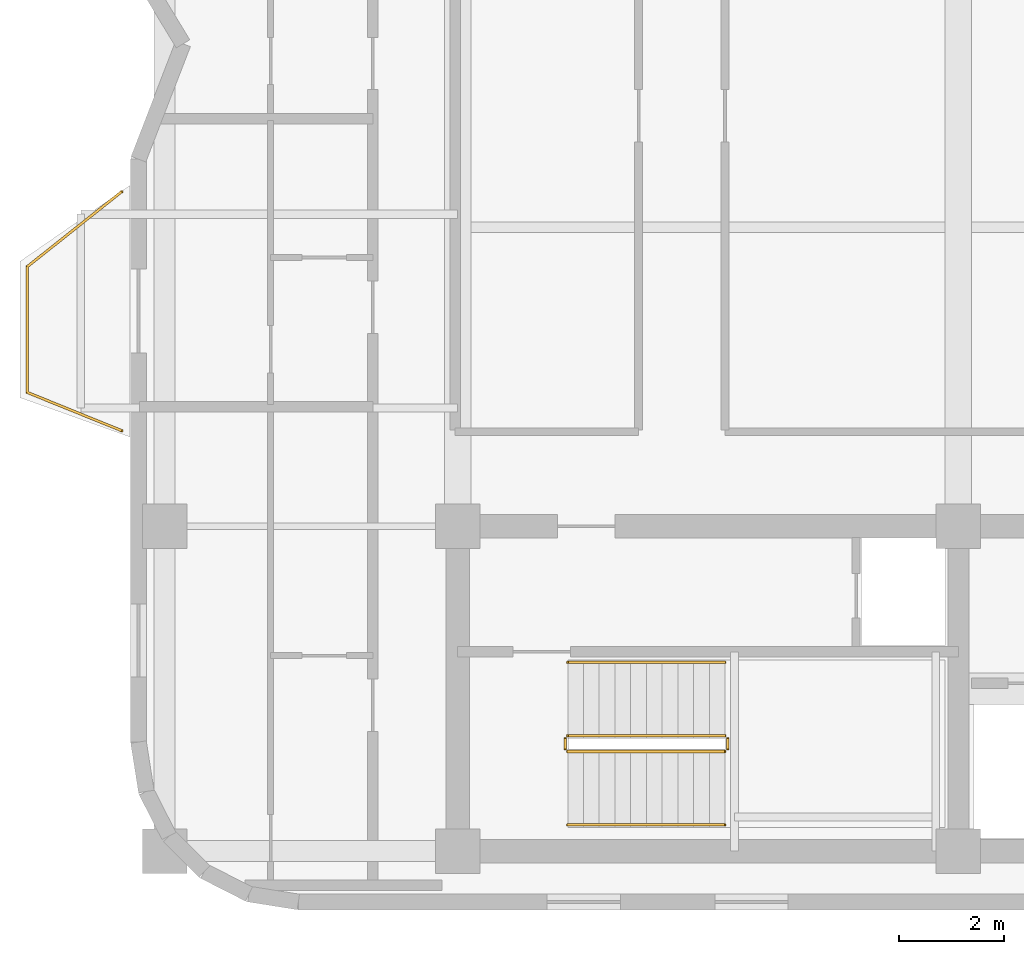
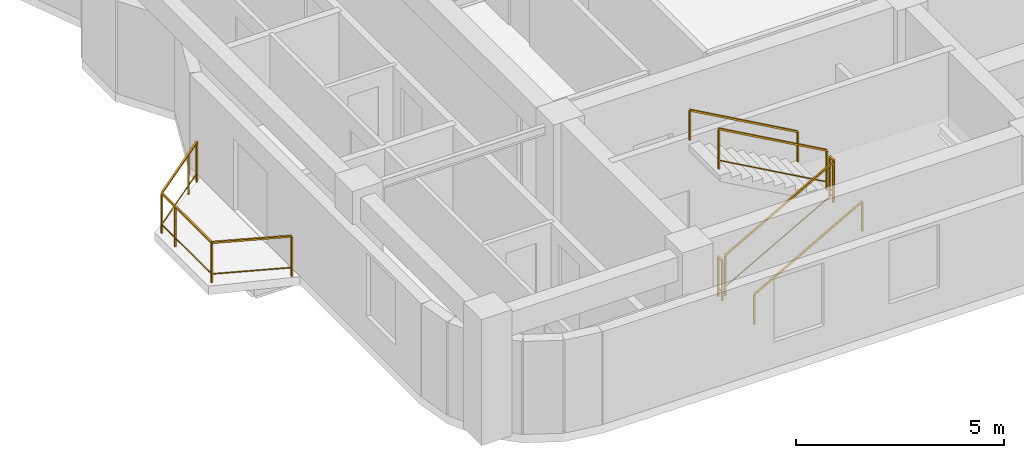
# One storey, part 7 of 8: 7 railings.
"""IFC4 building model written with IfcOpenShell, lengths in metres."""

from ifc_helpers import new_model, si_unit, direction, frame, origin, origin_2d, place, context, subcontext, project, spatial, rectangle, extrude, material, type_object, element, save


model = new_model("IFC4")

# Units and contexts
model_context = context("Model", 3, precision=1e-05, world=origin(), true_north=direction((0.0, 1.0)))
body_context = subcontext(model_context, "Body", "Model", "MODEL_VIEW")
ifc_project = project(units=[si_unit("LENGTHUNIT", "METRE"), si_unit("AREAUNIT", "SQUARE_METRE"), si_unit("VOLUMEUNIT", "CUBIC_METRE"), si_unit("PLANEANGLEUNIT", "RADIAN"), si_unit("MASSUNIT", "GRAM", prefix="KILO")], contexts=[model_context])

# Site, building, storey
site_placement = place(None, origin())
site = spatial("IfcSite", under=ifc_project, at=site_placement, CompositionType="ELEMENT")
building_placement = place(site_placement, origin())
building = spatial("IfcBuilding", under=site, at=building_placement, Name="Svetorya Sky Lyceum", CompositionType="ELEMENT")
storey_placement = place(building_placement, frame((0.0, 0.0, 229.5)))
storey = spatial("IfcBuildingStorey", under=building, at=storey_placement, Name="L57", CompositionType="ELEMENT", Elevation=229.5)

# Railings
ifc_material_1 = material(Name="Laminated safety glass and stainless AISI 316", Category="glass")
railing_type_1 = type_object("IfcRailingType", Name="RL-BAL-1200", PredefinedType="BALUSTRADE", material=ifc_material_1)
railing_1_placement = place(storey_placement, frame((19.18994140625, 18.6201171875, 0.0)))
element("IfcRailing", 1, at=railing_1_placement, inside=storey, type_object=railing_type_1, Name="L57 Balcony Balustrade BAL-W1", PredefinedType="BALUSTRADE", context=body_context, shape_type="SweptSolid", body=[
    extrude(rectangle(XDim=0.048095703125, YDim=0.048095703125, at=origin_2d()), frame((0.0, 0.0, 1.17578125), z_axis=(-0.926697865975, 0.375807218129, 0.0), x_axis=(-0.375807218129, -0.926697865975, 0.0)), (0.0, 0.0, 1.0), 1.9423828125),
    extrude(rectangle(XDim=0.02392578125, YDim=0.02392578125, at=origin_2d()), frame((0.0, 0.0, 0.25), z_axis=(-0.926697865975, 0.375807218129, 0.0), x_axis=(-0.375807218129, -0.926697865975, 0.0)), (0.0, 0.0, 1.0), 1.9423828125),
    extrude(rectangle(XDim=0.048095703125, YDim=0.048095703125, at=origin_2d()), frame((-1.800048828125, 0.72998046875, 1.17578125), z_axis=(0.0, 1.0, 0.0), x_axis=(-1.0, 0.0, 0.0)), (0.0, 0.0, 1.0), 2.39990234375),
    extrude(rectangle(XDim=0.02392578125, YDim=0.02392578125, at=origin_2d()), frame((-1.800048828125, 0.72998046875, 0.25), z_axis=(0.0, 1.0, 0.0), x_axis=(-1.0, 0.0, 0.0)), (0.0, 0.0, 1.0), 2.39990234375),
    extrude(rectangle(XDim=0.048095703125, YDim=0.048095703125, at=origin_2d()), frame((-1.800048828125, 3.1298828125, 1.17578125), z_axis=(0.783008919264, 0.622010476079, 0.0), x_axis=(-0.622010476079, 0.783008919264, 0.0)), (0.0, 0.0, 1.0), 2.298828125),
    extrude(rectangle(XDim=0.02392578125, YDim=0.02392578125, at=origin_2d()), frame((-1.800048828125, 3.1298828125, 0.25), z_axis=(0.783008919264, 0.622010476079, 0.0), x_axis=(-0.622010476079, 0.783008919264, 0.0)), (0.0, 0.0, 1.0), 2.298828125),
    extrude(rectangle(XDim=0.0419921875, YDim=0.0419921875, at=origin_2d()), origin(), (0.0, 0.0, 1.0), 1.15185546875),
    extrude(rectangle(XDim=0.0419921875, YDim=0.0419921875, at=origin_2d()), frame((-1.800048828125, 0.72998046875, 0.0)), (0.0, 0.0, 1.0), 1.15185546875),
    extrude(rectangle(XDim=0.0419921875, YDim=0.0419921875, at=origin_2d()), frame((-1.800048828125, 2.47998046875, 0.0)), (0.0, 0.0, 1.0), 1.15185546875),
    extrude(rectangle(XDim=0.0419921875, YDim=0.0419921875, at=origin_2d()), frame((-1.800048828125, 3.1298828125, 0.0)), (0.0, 0.0, 1.0), 1.15185546875),
    extrude(rectangle(XDim=0.0419921875, YDim=0.0419921875, at=origin_2d()), frame((-0.4296875, 4.218505859375, 0.0)), (0.0, 0.0, 1.0), 1.15185546875),
    extrude(rectangle(XDim=0.0419921875, YDim=0.0419921875, at=origin_2d()), frame((0.0, 4.559814453125, 0.0)), (0.0, 0.0, 1.0), 1.15185546875),
])
ifc_material_2 = material(Name="Painted galvanized stair well guard")
railing_type_2 = type_object("IfcRailingType", Name="RL-STR-GUARD-1200", PredefinedType="GUARDRAIL", material=ifc_material_2)
railing_2_placement = place(storey_placement, frame((27.699951171875, 12.5, 0.168212890625)))
element("IfcRailing", 2, at=railing_2_placement, inside=storey, type_object=railing_type_2, Name="L57 ST-S stair guard 1", PredefinedType="GUARDRAIL", context=body_context, shape_type="SweptSolid", body=[
    extrude(rectangle(XDim=0.048095703125, YDim=0.048095703125, at=origin_2d()), frame((0.0, 0.0, 1.17578125), z_axis=(0.872272294576, 0.0, 0.489020494575), x_axis=(0.0, 1.0, 0.0)), (0.0, 0.0, 1.0), 3.439208984375),
    extrude(rectangle(XDim=0.02392578125, YDim=0.02392578125, at=origin_2d()), frame((0.0, 0.0, 0.25), z_axis=(0.872272294576, 0.0, 0.489020494575), x_axis=(0.0, 1.0, 0.0)), (0.0, 0.0, 1.0), 3.439208984375),
    extrude(rectangle(XDim=0.0419921875, YDim=0.0419921875, at=origin_2d()), origin(), (0.0, 0.0, 1.0), 1.15185546875),
    extrude(rectangle(XDim=0.0419921875, YDim=0.0419921875, at=origin_2d()), frame((3.0, 0.0, 1.681884765625)), (0.0, 0.0, 1.0), 1.15185546875),
])
railing_3_placement = place(storey_placement, frame((30.75, 12.550048828125, 1.85009765625)))
element("IfcRailing", 3, at=railing_3_placement, inside=storey, type_object=railing_type_2, Name="L57 ST-S stair guard 2", PredefinedType="GUARDRAIL", context=body_context, shape_type="SweptSolid", body=[
    extrude(rectangle(XDim=0.048095703125, YDim=0.048095703125, at=origin_2d()), frame((0.0, 0.0, 1.17578125), z_axis=(0.0, 1.0, 0.0), x_axis=(-1.0, 0.0, 0.0)), (0.0, 0.0, 1.0), 0.199951171875),
    extrude(rectangle(XDim=0.02392578125, YDim=0.02392578125, at=origin_2d()), frame((0.0, 0.0, 0.25), z_axis=(0.0, 1.0, 0.0), x_axis=(-1.0, 0.0, 0.0)), (0.0, 0.0, 1.0), 0.199951171875),
    extrude(rectangle(XDim=0.0419921875, YDim=0.0419921875, at=origin_2d()), origin(), (0.0, 0.0, 1.0), 1.15185546875),
    extrude(rectangle(XDim=0.0419921875, YDim=0.0419921875, at=origin_2d()), frame((0.0, 0.199951171875, 0.0)), (0.0, 0.0, 1.0), 1.15185546875),
])
railing_4_placement = place(storey_placement, frame((30.699951171875, 12.800048828125, 2.01806640625)))
element("IfcRailing", 4, at=railing_4_placement, inside=storey, type_object=railing_type_2, Name="L57 ST-S stair guard 3", PredefinedType="GUARDRAIL", context=body_context, shape_type="SweptSolid", body=[
    extrude(rectangle(XDim=0.048095703125, YDim=0.048095703125, at=origin_2d()), frame((0.0, 0.0, 1.17578125), z_axis=(-0.872272294576, 0.0, 0.489020494575), x_axis=(0.0, -1.0, 0.0)), (0.0, 0.0, 1.0), 3.439208984375),
    extrude(rectangle(XDim=0.02392578125, YDim=0.02392578125, at=origin_2d()), frame((0.0, 0.0, 0.25), z_axis=(-0.872272294576, 0.0, 0.489020494575), x_axis=(0.0, -1.0, 0.0)), (0.0, 0.0, 1.0), 3.439208984375),
    extrude(rectangle(XDim=0.0419921875, YDim=0.0419921875, at=origin_2d()), origin(), (0.0, 0.0, 1.0), 1.15185546875),
    extrude(rectangle(XDim=0.0419921875, YDim=0.0419921875, at=origin_2d()), frame((-3.0, 0.0, 1.681884765625)), (0.0, 0.0, 1.0), 1.15185546875),
])
railing_5_placement = place(storey_placement, frame((27.64990234375, 12.550048828125, 0.0)))
element("IfcRailing", 5, at=railing_5_placement, inside=storey, type_object=railing_type_2, Name="L57 ST-S stair guard 4", PredefinedType="GUARDRAIL", context=body_context, shape_type="SweptSolid", body=[
    extrude(rectangle(XDim=0.048095703125, YDim=0.048095703125, at=origin_2d()), frame((0.0, 0.0, 1.17578125), z_axis=(0.0, 1.0, 0.0), x_axis=(-1.0, 0.0, 0.0)), (0.0, 0.0, 1.0), 0.199951171875),
    extrude(rectangle(XDim=0.02392578125, YDim=0.02392578125, at=origin_2d()), frame((0.0, 0.0, 0.25), z_axis=(0.0, 1.0, 0.0), x_axis=(-1.0, 0.0, 0.0)), (0.0, 0.0, 1.0), 0.199951171875),
    extrude(rectangle(XDim=0.0419921875, YDim=0.0419921875, at=origin_2d()), origin(), (0.0, 0.0, 1.0), 1.15185546875),
    extrude(rectangle(XDim=0.0419921875, YDim=0.0419921875, at=origin_2d()), frame((0.0, 0.199951171875, 0.0)), (0.0, 0.0, 1.0), 1.15185546875),
])
ifc_material_3 = material(Name="Brushed stainless AISI 304 stair handrail")
railing_type_3 = type_object("IfcRailingType", Name="RL-STR-HAND-920", PredefinedType="HANDRAIL", material=ifc_material_3)
railing_6_placement = place(storey_placement, frame((27.699951171875, 11.10009765625, 0.168212890625)))
element("IfcRailing", 6, at=railing_6_placement, inside=storey, type_object=railing_type_3, Name="L57 ST-S stair handrail 1", PredefinedType="HANDRAIL", context=body_context, shape_type="SweptSolid", body=[
    extrude(rectangle(XDim=0.048095703125, YDim=0.048095703125, at=origin_2d()), frame((0.0, 0.0, 0.8759765625), z_axis=(0.872272294576, 0.0, 0.489020494575), x_axis=(0.0, 1.0, 0.0)), (0.0, 0.0, 1.0), 3.439208984375),
    extrude(rectangle(XDim=0.0419921875, YDim=0.0419921875, at=origin_2d()), origin(), (0.0, 0.0, 1.0), 0.851806640625),
    extrude(rectangle(XDim=0.0419921875, YDim=0.0419921875, at=origin_2d()), frame((3.0, 0.0, 1.681884765625)), (0.0, 0.0, 1.0), 0.851806640625),
])
railing_7_placement = place(storey_placement, frame((30.699951171875, 14.199951171875, 2.01806640625)))
element("IfcRailing", 7, at=railing_7_placement, inside=storey, type_object=railing_type_3, Name="L57 ST-S stair handrail 2", PredefinedType="HANDRAIL", context=body_context, shape_type="SweptSolid", body=[
    extrude(rectangle(XDim=0.048095703125, YDim=0.048095703125, at=origin_2d()), frame((0.0, 0.0, 0.8759765625), z_axis=(-0.872272294576, 0.0, 0.489020494575), x_axis=(0.0, -1.0, 0.0)), (0.0, 0.0, 1.0), 3.439208984375),
    extrude(rectangle(XDim=0.0419921875, YDim=0.0419921875, at=origin_2d()), origin(), (0.0, 0.0, 1.0), 0.851806640625),
    extrude(rectangle(XDim=0.0419921875, YDim=0.0419921875, at=origin_2d()), frame((-3.0, 0.0, 1.681884765625)), (0.0, 0.0, 1.0), 0.851806640625),
])

save(model, "model.ifc")
